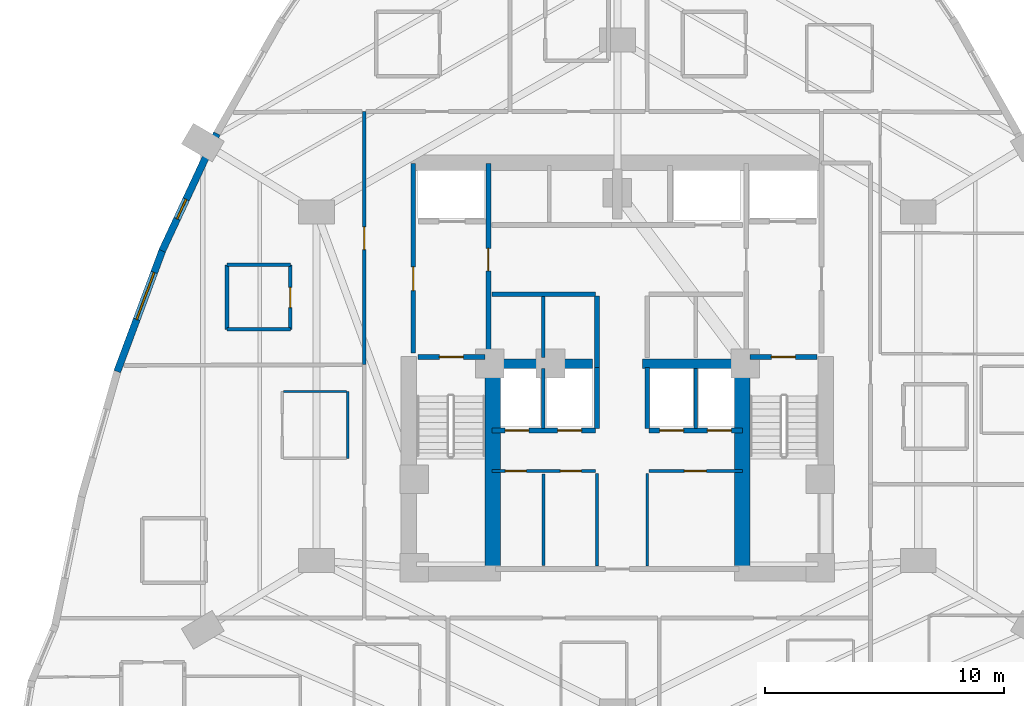
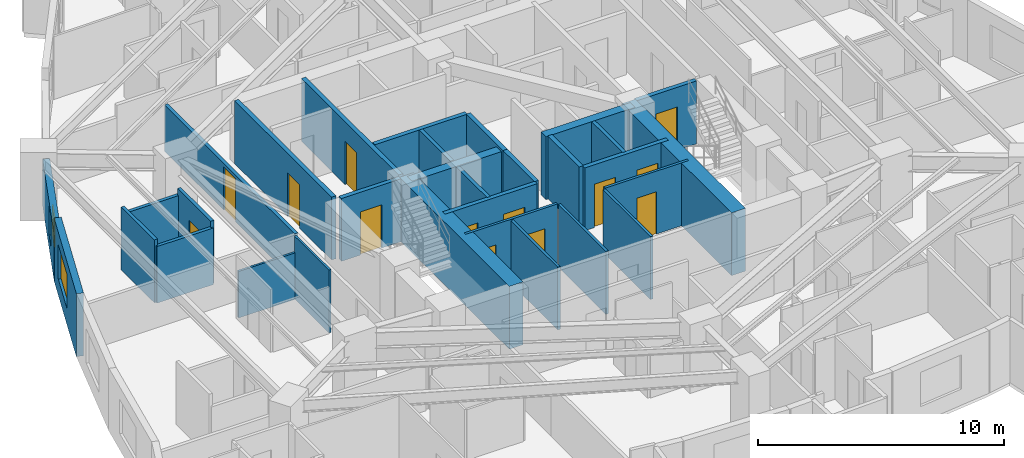
# One storey, part 9 of 15: 31 walls, 13 doors, 2 windows, 15 openings.
"""IFC4 building model written with IfcOpenShell, lengths in metres."""

from ifc_helpers import new_model, si_unit, direction, frame, frame_2d, origin, place, context, subcontext, project, spatial, rectangle, extrude, material, layer, layer_set, type_object, element, fill, save


model = new_model("IFC4")

# Units and contexts
model_context = context("Model", 3, precision=1e-05, world=origin(), true_north=direction((0.0, 1.0)))
body_context = subcontext(model_context, "Body", "Model", "MODEL_VIEW")
ifc_project = project(units=[si_unit("LENGTHUNIT", "METRE"), si_unit("AREAUNIT", "SQUARE_METRE"), si_unit("VOLUMEUNIT", "CUBIC_METRE"), si_unit("PLANEANGLEUNIT", "RADIAN"), si_unit("MASSUNIT", "GRAM", prefix="KILO")], contexts=[model_context])

# Site, building, storey
site_placement = place(None, origin())
site = spatial("IfcSite", under=ifc_project, at=site_placement, CompositionType="ELEMENT")
building_placement = place(site_placement, origin())
building = spatial("IfcBuilding", under=site, at=building_placement, Name="Miruveldt Soraemaru", CompositionType="ELEMENT")
storey_placement = place(building_placement, frame((0.0, 0.0, 39.39990234375)))
storey = spatial("IfcBuildingStorey", under=building, at=storey_placement, Name="L10", CompositionType="ELEMENT", Elevation=39.39990234375)

# Walls
ifc_material_1 = material(Name="Concrete C70/85 (70 MPa)", Category="concrete")
ifc_layer_1 = layer(ifc_material_1, 0.5, Name="Concrete C70/85 (70 MPa)", Category="concrete")
ifc_layer_set_1 = layer_set([ifc_layer_1], Name="Concrete C70/85 (70 MPa)")
wall_type_1 = type_object("IfcWallType", Name="WALL-BW-500", PredefinedType="SHEAR", material=ifc_layer_set_1)
for number, where, z_axis, x_axis, name in (
    (1, (38.75, 44.050048828125, 0.0), (0.0, 0.0, 1.0), (1.0, 0.0, 0.0), "L10 Core Buttress Shear Wall BW"),
    (2, (45.050048828125, 44.050048828125, 0.0), (0.0, 0.0, 1.0), (1.0, 0.0, 0.0), "L10 Core Buttress Shear Wall BE"),
):
    element("IfcWall", number, at=place(storey_placement, frame(where, z_axis=z_axis, x_axis=x_axis)), inside=storey, type_object=wall_type_1, Name=name, PredefinedType="SHEAR", context=body_context, shape_type="SweptSolid", body=[
        extrude(rectangle(XDim=4.199951171875, YDim=0.39990234375, at=frame_2d((2.10009765625, 0.0))), origin(), (0.0, 0.0, 1.0), 3.125),
    ])
ifc_material_2 = material(Name="Concrete C80/95 (80 MPa)", Category="concrete")
ifc_layer_2 = layer(ifc_material_2, 0.64990234375, Name="Concrete C80/95 (80 MPa)", Category="concrete")
ifc_layer_set_2 = layer_set([ifc_layer_2], Name="Concrete C80/95 (80 MPa)")
wall_type_2 = type_object("IfcWallType", Name="WALL-CW-650", PredefinedType="SHEAR", material=ifc_layer_set_2)
for number, where, z_axis, x_axis, name in (
    (3, (38.77490234375, 35.39990234375, 0.0), (0.0, 0.0, 1.0), (0.0, 1.0, 0.0), "L10 Central Core Shear Wall SW-INT"),
    (4, (49.22509765625, 35.39990234375, 0.0), (0.0, 0.0, 1.0), (0.0, 1.0, 0.0), "L10 Central Core Shear Wall SE-INT"),
):
    element("IfcWall", number, at=place(storey_placement, frame(where, z_axis=z_axis, x_axis=x_axis)), inside=storey, type_object=wall_type_2, Name=name, PredefinedType="SHEAR", context=body_context, shape_type="SweptSolid", body=[
        extrude(rectangle(XDim=8.9501953125, YDim=0.64990234375, at=frame_2d((4.47509765625, 0.0))), origin(), (0.0, 0.0, 1.0), 3.125),
    ])

# Wall, opening, window
ifc_material_3 = material(Name="Precast concrete C45/55 (45 MPa)", Category="concrete")
ifc_layer_3 = layer(ifc_material_3, 0.300048828125, Name="Precast concrete C45/55 (45 MPa)", Category="concrete")
ifc_layer_set_3 = layer_set([ifc_layer_3], Name="Precast concrete C45/55 (45 MPa)")
wall_type_3 = type_object("IfcWallType", Name="WALL-EXT-PC300", PredefinedType="SOLIDWALL", material=ifc_layer_set_3)
wall_1_placement = place(storey_placement, frame((27.231201171875, 53.685302734375, 0.0), z_axis=(0.0, 0.0, 1.0), x_axis=(-0.4222916538, -0.906460015186, 0.0)))
wall_1 = element("IfcWall", 5, at=wall_1_placement, inside=storey, type_object=wall_type_3, Name="L10 Precast Concrete Facade Wall 11", PredefinedType="SOLIDWALL", context=body_context, shape_type="SweptSolid", body=[
    extrude(rectangle(XDim=5.42529296875, YDim=0.300048828125, at=frame_2d((2.712646484375, 0.0))), origin(), (0.0, 0.0, 1.0), 2.31298828125),
])
opening_1_placement = place(wall_1_placement, frame((3.0458984375, 0.0, 0.653076171875)))
opening_1 = element("IfcOpeningElement", 6, at=opening_1_placement, cuts=wall_1, Name="Opening WN-7", PredefinedType="OPENING", context=body_context, shape_type="SweptSolid", body=[
    extrude(rectangle(XDim=0.89990234375, YDim=1.5, at=frame_2d((0.449951171875, 0.75))), frame((0.0, 0.16015625, 0.0), z_axis=(0.0, -1.0, 0.0), x_axis=(1.0, 0.0, 0.0)), (0.0, 0.0, 1.0), 0.320068359375),
])
ifc_material_4 = material(Name="Triple low-e insulated glazing", Category="glass")
window_type_1 = type_object("IfcWindowType", Name="WIN-PUNCH-900x1500", PartitioningType="SINGLE_PANEL", PredefinedType="WINDOW", material=ifc_material_4)
window_1_placement = place(opening_1_placement, origin())
window_1 = element("IfcWindow", 7, at=window_1_placement, inside=storey, type_object=window_type_1, Name="L10 Punched Triple-Glazed Window 11.1", OverallHeight=1.5, OverallWidth=0.89990234375, PartitioningType="SINGLE_PANEL", PredefinedType="WINDOW", context=body_context, shape_type="SweptSolid", body=[
    extrude(rectangle(XDim=0.89990234375, YDim=1.5, at=frame_2d((0.449951171875, 0.75))), frame((0.0, 0.030029296875, 0.0), z_axis=(0.0, -1.0, 0.0), x_axis=(1.0, 0.0, 0.0)), (0.0, 0.0, 1.0), 0.06005859375),
])
fill(opening_1, window_1)

wall_2_placement = place(storey_placement, frame((24.967041015625, 48.83203125, 0.0), z_axis=(0.0, 0.0, 1.0), x_axis=(-0.348985824433, -0.93712800318, 0.0)))
wall_2 = element("IfcWall", 8, at=wall_2_placement, inside=storey, type_object=wall_type_3, Name="L10 Precast Concrete Facade Wall 12", PredefinedType="SOLIDWALL", context=body_context, shape_type="SweptSolid", body=[
    extrude(rectangle(XDim=5.45947265625, YDim=0.300048828125, at=frame_2d((2.729736328125, 0.0))), origin(), (0.0, 0.0, 1.0), 3.125),
])
opening_2_placement = place(wall_2_placement, frame((1.032958984375, 0.0, 0.800048828125)))
opening_2 = element("IfcOpeningElement", 9, at=opening_2_placement, cuts=wall_2, Name="Opening WN-1", PredefinedType="OPENING", context=body_context, shape_type="SweptSolid", body=[
    extrude(rectangle(XDim=2.10009765625, YDim=1.699951171875, at=frame_2d((1.050048828125, 0.85009765625))), frame((0.0, 0.16015625, 0.0), z_axis=(0.0, -1.0, 0.0), x_axis=(1.0, 0.0, 0.0)), (0.0, 0.0, 1.0), 0.320068359375),
])
window_type_2 = type_object("IfcWindowType", Name="WIN-PUNCH-2100x1700", PartitioningType="SINGLE_PANEL", PredefinedType="WINDOW", material=ifc_material_4)
window_2_placement = place(opening_2_placement, origin())
window_2 = element("IfcWindow", 10, at=window_2_placement, inside=storey, type_object=window_type_2, Name="L10 Punched Triple-Glazed Window 12.1", OverallHeight=1.699951171875, OverallWidth=2.10009765625, PartitioningType="SINGLE_PANEL", PredefinedType="WINDOW", context=body_context, shape_type="SweptSolid", body=[
    extrude(rectangle(XDim=2.10009765625, YDim=1.699951171875, at=frame_2d((1.050048828125, 0.85009765625))), frame((0.0, 0.030029296875, 0.0), z_axis=(0.0, -1.0, 0.0), x_axis=(1.0, 0.0, 0.0)), (0.0, 0.0, 1.0), 0.06005859375),
])
fill(opening_2, window_2)

# Walls
ifc_material_5 = material(Name="Gypsum plasterboard lining", Category="gypsum")
ifc_layer_4 = layer(ifc_material_5, 0.10009765625, Name="Gypsum plasterboard lining", Category="gypsum")
ifc_layer_set_4 = layer_set([ifc_layer_4], Name="Gypsum plasterboard lining")
wall_type_4 = type_object("IfcWallType", Name="WALL-INT-P100", PredefinedType="PARTITIONING", material=ifc_layer_set_4)
wall_3_placement = place(storey_placement, frame((32.712890625, 40.080078125, 0.0), z_axis=(0.0, 0.0, 1.0), x_axis=(0.0, 1.0, 0.0)))
element("IfcWall", 11, at=wall_3_placement, inside=storey, type_object=wall_type_4, Name="L10 Partition Wall 56", PredefinedType="PARTITIONING", context=body_context, shape_type="SweptSolid", body=[
    extrude(rectangle(XDim=2.7998046875, YDim=0.10009765625, at=frame_2d((1.39990234375, 0.0))), origin(), (0.0, 0.0, 1.0), 3.125),
])
wall_4_placement = place(storey_placement, frame((32.6630859375, 42.8798828125, 0.0), z_axis=(0.0, 0.0, 1.0), x_axis=(-1.0, 0.0, 0.0)))
element("IfcWall", 12, at=wall_4_placement, inside=storey, type_object=wall_type_4, Name="L10 Partition Wall 57", PredefinedType="PARTITIONING", context=body_context, shape_type="SweptSolid", body=[
    extrude(rectangle(XDim=2.650146484375, YDim=0.10009765625, at=frame_2d((1.3251953125, 0.0))), origin(), (0.0, 0.0, 1.0), 2.31298828125),
])

# Wall, openings, doors
ifc_layer_5 = layer(ifc_material_5, 0.1201171875, Name="Gypsum plasterboard lining", Category="gypsum")
ifc_layer_set_5 = layer_set([ifc_layer_5], Name="Gypsum plasterboard lining")
wall_type_5 = type_object("IfcWallType", Name="WALL-INT-P120", PredefinedType="PARTITIONING", material=ifc_layer_set_5)
wall_5_placement = place(storey_placement, frame((38.75, 39.550048828125, 0.0), z_axis=(0.0, 0.0, 1.0), x_axis=(1.0, 0.0, 0.0)))
wall_5 = element("IfcWall", 13, at=wall_5_placement, inside=storey, type_object=wall_type_5, Name="L10 Core Compartment Wall CSW-N", PredefinedType="PARTITIONING", context=body_context, shape_type="SweptSolid", body=[
    extrude(rectangle(XDim=4.330078125, YDim=0.1201171875, at=frame_2d((2.1650390625, 0.0))), origin(), (0.0, 0.0, 1.0), 3.125),
])
opening_3_placement = place(wall_5_placement, frame((0.56005859375, 0.0, 0.0)))
opening_3 = element("IfcOpeningElement", 14, at=opening_3_placement, cuts=wall_5, Name="Opening D4", PredefinedType="OPENING", context=body_context, shape_type="SweptSolid", body=[
    extrude(rectangle(XDim=0.8798828125, YDim=2.10009765625, at=frame_2d((0.43994140625, 1.050048828125))), frame((0.0, 0.070068359375, 0.0), z_axis=(0.0, -1.0, 0.0), x_axis=(1.0, 0.0, 0.0)), (0.0, 0.0, 1.0), 0.14013671875),
])
opening_4_placement = place(wall_5_placement, frame((2.860107421875, 0.0, 0.0)))
opening_4 = element("IfcOpeningElement", 15, at=opening_4_placement, cuts=wall_5, Name="Opening D4", PredefinedType="OPENING", context=body_context, shape_type="SweptSolid", body=[
    extrude(rectangle(XDim=0.8798828125, YDim=2.10009765625, at=frame_2d((0.43994140625, 1.050048828125))), frame((0.0, 0.070068359375, 0.0), z_axis=(0.0, -1.0, 0.0), x_axis=(1.0, 0.0, 0.0)), (0.0, 0.0, 1.0), 0.14013671875),
])
ifc_material_6 = material(Name="Anodised aluminium EN AW-6063 T6", Category="aluminium")
door_type_1 = type_object("IfcDoorType", Name="DOOR-INT-880", OperationType="NOTDEFINED", PredefinedType="DOOR", material=ifc_material_6)
door_1_placement = place(opening_3_placement, origin())
door_1 = element("IfcDoor", 16, at=door_1_placement, inside=storey, type_object=door_type_1, Name="L10 Fire Door", OperationType="SINGLE_SWING_LEFT", OverallHeight=2.10009765625, OverallWidth=0.8798828125, PredefinedType="DOOR", context=body_context, shape_type="SweptSolid", body=[
    extrude(rectangle(XDim=0.8798828125, YDim=2.10009765625, at=frame_2d((0.43994140625, 1.050048828125))), frame((0.0, 0.02490234375, 0.0), z_axis=(0.0, -1.0, 0.0), x_axis=(1.0, 0.0, 0.0)), (0.0, 0.0, 1.0), 0.050048828125),
])
fill(opening_3, door_1)
door_2_placement = place(opening_4_placement, origin())
door_2 = element("IfcDoor", 17, at=door_2_placement, inside=storey, type_object=door_type_1, Name="L10 Fire Door", OperationType="SINGLE_SWING_LEFT", OverallHeight=2.10009765625, OverallWidth=0.8798828125, PredefinedType="DOOR", context=body_context, shape_type="SweptSolid", body=[
    extrude(rectangle(XDim=0.8798828125, YDim=2.10009765625, at=frame_2d((0.43994140625, 1.050048828125))), frame((0.0, 0.02490234375, 0.0), z_axis=(0.0, -1.0, 0.0), x_axis=(1.0, 0.0, 0.0)), (0.0, 0.0, 1.0), 0.050048828125),
])
fill(opening_4, door_2)

# Wall, opening, door
wall_6_placement = place(storey_placement, frame((45.320068359375, 39.550048828125, 0.0), z_axis=(0.0, 0.0, 1.0), x_axis=(1.0, 0.0, 0.0)))
wall_6 = element("IfcWall", 18, at=wall_6_placement, inside=storey, type_object=wall_type_5, Name="L10 Core Compartment Wall CSE-N", PredefinedType="PARTITIONING", context=body_context, shape_type="SweptSolid", body=[
    extrude(rectangle(XDim=3.929931640625, YDim=0.1201171875, at=frame_2d((1.96484375, 0.0))), origin(), (0.0, 0.0, 1.0), 3.125),
])
opening_5_placement = place(wall_6_placement, frame((1.489990234375, 0.0, 0.0)))
opening_5 = element("IfcOpeningElement", 19, at=opening_5_placement, cuts=wall_6, Name="Opening D3A", PredefinedType="OPENING", context=body_context, shape_type="SweptSolid", body=[
    extrude(rectangle(XDim=0.919921875, YDim=2.10009765625, at=frame_2d((0.4599609375, 1.050048828125))), frame((0.0, 0.070068359375, 0.0), z_axis=(0.0, -1.0, 0.0), x_axis=(1.0, 0.0, 0.0)), (0.0, 0.0, 1.0), 0.14013671875),
])
door_type_2 = type_object("IfcDoorType", Name="DOOR-INT-920", OperationType="NOTDEFINED", PredefinedType="DOOR", material=ifc_material_6)
door_3_placement = place(opening_5_placement, origin())
door_3 = element("IfcDoor", 20, at=door_3_placement, inside=storey, type_object=door_type_2, Name="L10 Fire Door", OperationType="SINGLE_SWING_LEFT", OverallHeight=2.10009765625, OverallWidth=0.919921875, PredefinedType="DOOR", context=body_context, shape_type="SweptSolid", body=[
    extrude(rectangle(XDim=0.919921875, YDim=2.10009765625, at=frame_2d((0.4599609375, 1.050048828125))), frame((0.0, 0.02490234375, 0.0), z_axis=(0.0, -1.0, 0.0), x_axis=(1.0, 0.0, 0.0)), (0.0, 0.0, 1.0), 0.050048828125),
])
fill(opening_5, door_3)

# Walls
for number, where, z_axis, x_axis, name in (
    (21, (43.14990234375, 35.580078125, 0.0), (0.0, 0.0, 1.0), (0.0, 1.0, 0.0), "L10 Core Compartment Wall SP-WS"),
    (22, (45.25, 35.580078125, 0.0), (0.0, 0.0, 1.0), (0.0, 1.0, 0.0), "L10 Core Compartment Wall SP-ES"),
):
    element("IfcWall", number, at=place(storey_placement, frame(where, z_axis=z_axis, x_axis=x_axis)), inside=storey, type_object=wall_type_5, Name=name, PredefinedType="PARTITIONING", context=body_context, shape_type="SweptSolid", body=[
        extrude(rectangle(XDim=3.869873046875, YDim=0.1201171875, at=frame_2d((1.93505859375, 0.0))), origin(), (0.0, 0.0, 1.0), 3.125),
    ])
wall_7_placement = place(storey_placement, frame((40.89990234375, 35.60009765625, 0.0), z_axis=(0.0, 0.0, 1.0), x_axis=(0.0, 1.0, 0.0)))
element("IfcWall", 23, at=wall_7_placement, inside=storey, type_object=wall_type_5, Name="L10 Core Compartment Wall CW1-V", PredefinedType="PARTITIONING", context=body_context, shape_type="SweptSolid", body=[
    extrude(rectangle(XDim=3.81982421875, YDim=0.1201171875, at=frame_2d((1.909912109375, 0.0))), origin(), (0.0, 0.0, 1.0), 3.125),
])

# Wall, opening, door
ifc_layer_6 = layer(ifc_material_5, 0.14990234375, Name="Gypsum plasterboard lining", Category="gypsum")
ifc_layer_set_6 = layer_set([ifc_layer_6], Name="Gypsum plasterboard lining")
wall_type_6 = type_object("IfcWallType", Name="WALL-INT-PLUMB", PredefinedType="PLUMBINGWALL", material=ifc_layer_set_6)
wall_8_placement = place(storey_placement, frame((30.304931640625, 45.47998046875, 0.0), z_axis=(0.0, 0.0, 1.0), x_axis=(0.0, 1.0, 0.0)))
wall_8 = element("IfcWall", 24, at=wall_8_placement, inside=storey, type_object=wall_type_6, Name="L10 Partition Wall 62", PredefinedType="PLUMBINGWALL", context=body_context, shape_type="SweptSolid", body=[
    extrude(rectangle(XDim=2.699951171875, YDim=0.14990234375, at=frame_2d((1.35009765625, 0.0))), origin(), (0.0, 0.0, 1.0), 3.125),
])
opening_6_placement = place(wall_8_placement, frame((0.909912109375, 0.0, 0.0)))
opening_6 = element("IfcOpeningElement", 25, at=opening_6_placement, cuts=wall_8, Name="Opening FD3", PredefinedType="OPENING", context=body_context, shape_type="SweptSolid", body=[
    extrude(rectangle(XDim=0.85009765625, YDim=2.10009765625, at=frame_2d((0.425048828125, 1.050048828125))), frame((0.0, 0.0849609375, 0.0), z_axis=(0.0, -1.0, 0.0), x_axis=(1.0, 0.0, 0.0)), (0.0, 0.0, 1.0), 0.169921875),
])
door_type_3 = type_object("IfcDoorType", Name="DOOR-FD3-850", OperationType="NOTDEFINED", PredefinedType="DOOR", material=ifc_material_6)
door_4_placement = place(opening_6_placement, origin())
door_4 = element("IfcDoor", 26, at=door_4_placement, inside=storey, type_object=door_type_3, Name="L10 Unit 1005 BTH Door", OperationType="SINGLE_SWING_LEFT", OverallHeight=2.10009765625, OverallWidth=0.85009765625, PredefinedType="DOOR", context=body_context, shape_type="SweptSolid", body=[
    extrude(rectangle(XDim=0.85009765625, YDim=2.10009765625, at=frame_2d((0.425048828125, 1.050048828125))), frame((0.0, 0.02490234375, 0.0), z_axis=(0.0, -1.0, 0.0), x_axis=(1.0, 0.0, 0.0)), (0.0, 0.0, 1.0), 0.050048828125),
])
fill(opening_6, door_4)

# Walls
wall_9_placement = place(storey_placement, frame((27.655029296875, 48.179931640625, 0.0), z_axis=(0.0, 0.0, 1.0), x_axis=(0.0, -1.0, 0.0)))
element("IfcWall", 27, at=wall_9_placement, inside=storey, type_object=wall_type_6, Name="L10 Partition Wall 64", PredefinedType="PLUMBINGWALL", context=body_context, shape_type="SweptSolid", body=[
    extrude(rectangle(XDim=2.699951171875, YDim=0.14990234375, at=frame_2d((1.35009765625, 0.0))), origin(), (0.0, 0.0, 1.0), 3.125),
])
for number, where, z_axis, x_axis, name in (
    (28, (30.304931640625, 48.179931640625, 0.0), (0.0, 0.0, 1.0), (-1.0, 0.0, 0.0), "L10 Partition Wall 63"),
    (29, (27.655029296875, 45.47998046875, 0.0), (0.0, 0.0, 1.0), (1.0, 0.0, 0.0), "L10 Partition Wall 65"),
):
    element("IfcWall", number, at=place(storey_placement, frame(where, z_axis=z_axis, x_axis=x_axis)), inside=storey, type_object=wall_type_6, Name=name, PredefinedType="PLUMBINGWALL", context=body_context, shape_type="SweptSolid", body=[
        extrude(rectangle(XDim=2.64990234375, YDim=0.14990234375, at=frame_2d((1.324951171875, 0.0))), origin(), (0.0, 0.0, 1.0), 2.81298828125),
    ])

# Wall, opening, door
ifc_material_7 = material(Name="Concrete C40/50 (40 MPa)", Category="concrete")
ifc_layer_7 = layer(ifc_material_7, 0.159912109375, Name="Concrete C40/50 (40 MPa)", Category="concrete")
ifc_layer_set_7 = layer_set([ifc_layer_7], Name="Concrete C40/50 (40 MPa)")
wall_type_7 = type_object("IfcWallType", Name="WALL-INT-RC160", PredefinedType="SOLIDWALL", material=ifc_layer_set_7)
wall_10_placement = place(storey_placement, frame((33.39990234375, 54.594970703125, 0.0), z_axis=(0.0, 0.0, 1.0), x_axis=(0.0, -1.0, 0.0)))
wall_10 = element("IfcWall", 30, at=wall_10_placement, inside=storey, type_object=wall_type_7, Name="L10 Partition Wall 5", PredefinedType="SOLIDWALL", context=body_context, shape_type="SweptSolid", body=[
    extrude(rectangle(XDim=10.590087890625, YDim=0.159912109375, at=frame_2d((5.294921875, 0.0))), origin(), (0.0, 0.0, 1.0), 2.31298828125),
])
opening_7_placement = place(wall_10_placement, frame((4.820068359375, 0.0, 0.0)))
opening_7 = element("IfcOpeningElement", 31, at=opening_7_placement, cuts=wall_10, Name="Opening FD2", PredefinedType="OPENING", context=body_context, shape_type="SweptSolid", body=[
    extrude(rectangle(XDim=0.949951171875, YDim=2.14990234375, at=frame_2d((0.47509765625, 1.074951171875))), frame((0.0, 0.08984375, 0.0), z_axis=(0.0, -1.0, 0.0), x_axis=(1.0, 0.0, 0.0)), (0.0, 0.0, 1.0), 0.179931640625),
])
door_type_4 = type_object("IfcDoorType", Name="DOOR-FD2-950", OperationType="NOTDEFINED", PredefinedType="DOOR", material=ifc_material_6)
door_5_placement = place(opening_7_placement, origin())
door_5 = element("IfcDoor", 32, at=door_5_placement, inside=storey, type_object=door_type_4, Name="L10 Unit 1005 Entrance Fire Door", OperationType="SINGLE_SWING_RIGHT", OverallHeight=2.14990234375, OverallWidth=0.949951171875, PredefinedType="DOOR", context=body_context, shape_type="SweptSolid", body=[
    extrude(rectangle(XDim=0.949951171875, YDim=2.14990234375, at=frame_2d((0.47509765625, 1.074951171875))), frame((0.0, 0.02490234375, 0.0), z_axis=(0.0, -1.0, 0.0), x_axis=(1.0, 0.0, 0.0)), (0.0, 0.0, 1.0), 0.050048828125),
])
fill(opening_7, door_5)

# Walls
wall_11_placement = place(storey_placement, frame((40.89990234375, 44.300048828125, 0.0), z_axis=(0.0, 0.0, 1.0), x_axis=(0.0, 1.0, 0.0)))
element("IfcWall", 33, at=wall_11_placement, inside=storey, type_object=wall_type_7, Name="L10 Core Compartment Wall PLM-DW", PredefinedType="SOLIDWALL", context=body_context, shape_type="SweptSolid", body=[
    extrude(rectangle(XDim=2.550048828125, YDim=0.159912109375, at=frame_2d((1.27490234375, 0.0))), origin(), (0.0, 0.0, 1.0), 3.125),
])
for number, where, z_axis, x_axis, name in (
    (34, (40.89990234375, 41.320068359375, 0.0), (0.0, 0.0, 1.0), (0.0, 1.0, 0.0), "L10 Core Compartment Wall PLL-DW"),
    (35, (47.280029296875, 41.320068359375, 0.0), (0.0, 0.0, 1.0), (0.0, 1.0, 0.0), "L10 Core Compartment Wall PLL-DE"),
):
    element("IfcWall", number, at=place(storey_placement, frame(where, z_axis=z_axis, x_axis=x_axis)), inside=storey, type_object=wall_type_7, Name=name, PredefinedType="SOLIDWALL", context=body_context, shape_type="SweptSolid", body=[
        extrude(rectangle(XDim=2.530029296875, YDim=0.159912109375, at=frame_2d((1.26513671875, 0.0))), origin(), (0.0, 0.0, 1.0), 3.125),
    ])

# Wall, opening, door
ifc_layer_8 = layer(ifc_material_7, 0.199951171875, Name="Concrete C40/50 (40 MPa)", Category="concrete")
ifc_layer_set_8 = layer_set([ifc_layer_8], Name="Concrete C40/50 (40 MPa)")
wall_type_8 = type_object("IfcWallType", Name="WALL-INT-RC200", PredefinedType="SOLIDWALL", material=ifc_layer_set_8)
wall_12_placement = place(storey_placement, frame((35.449951171875, 44.5, 0.0), z_axis=(0.0, 0.0, 1.0), x_axis=(0.0, 1.0, 0.0)))
wall_12 = element("IfcWall", 36, at=wall_12_placement, inside=storey, type_object=wall_type_8, Name="L10 Core Compartment Wall FFW-OUT", PredefinedType="SOLIDWALL", context=body_context, shape_type="SweptSolid", body=[
    extrude(rectangle(XDim=7.919921875, YDim=0.199951171875, at=frame_2d((3.9599609375, 0.0))), origin(), (0.0, 0.0, 1.0), 3.125),
])
opening_8_placement = place(wall_12_placement, frame((2.60009765625, 0.0, 0.0)))
opening_8 = element("IfcOpeningElement", 37, at=opening_8_placement, cuts=wall_12, Name="Opening FD1", PredefinedType="OPENING", context=body_context, shape_type="SweptSolid", body=[
    extrude(rectangle(XDim=1.0, YDim=2.14990234375, at=frame_2d((0.5, 1.074951171875))), frame((0.0, 0.10986328125, 0.0), z_axis=(0.0, -1.0, 0.0), x_axis=(1.0, 0.0, 0.0)), (0.0, 0.0, 1.0), 0.219970703125),
])
door_type_5 = type_object("IfcDoorType", Name="DOOR-FD1-1000", OperationType="NOTDEFINED", PredefinedType="DOOR", material=ifc_material_6)
door_6_placement = place(opening_8_placement, origin())
door_6 = element("IfcDoor", 38, at=door_6_placement, inside=storey, type_object=door_type_5, Name="L10 West Firefighting Lobby Exit Door", OperationType="SINGLE_SWING_LEFT", OverallHeight=2.14990234375, OverallWidth=1.0, PredefinedType="DOOR", context=body_context, shape_type="SweptSolid", body=[
    extrude(rectangle(XDim=1.0, YDim=2.14990234375, at=frame_2d((0.5, 1.074951171875))), frame((0.0, 0.02490234375, 0.0), z_axis=(0.0, -1.0, 0.0), x_axis=(1.0, 0.0, 0.0)), (0.0, 0.0, 1.0), 0.050048828125),
])
fill(opening_8, door_6)

wall_13_placement = place(storey_placement, frame((38.60009765625, 44.5, 0.0), z_axis=(0.0, 0.0, 1.0), x_axis=(0.0, 1.0, 0.0)))
wall_13 = element("IfcWall", 39, at=wall_13_placement, inside=storey, type_object=wall_type_8, Name="L10 Core Compartment Wall FFW-IN", PredefinedType="SOLIDWALL", context=body_context, shape_type="SweptSolid", body=[
    extrude(rectangle(XDim=7.919921875, YDim=0.199951171875, at=frame_2d((3.9599609375, 0.0))), origin(), (0.0, 0.0, 1.0), 3.125),
])
opening_9_placement = place(wall_13_placement, frame((3.425048828125, 0.0, 0.0)))
opening_9 = element("IfcOpeningElement", 40, at=opening_9_placement, cuts=wall_13, Name="Opening FD2", PredefinedType="OPENING", context=body_context, shape_type="SweptSolid", body=[
    extrude(rectangle(XDim=0.949951171875, YDim=2.14990234375, at=frame_2d((0.47509765625, 1.074951171875))), frame((0.0, 0.10986328125, 0.0), z_axis=(0.0, -1.0, 0.0), x_axis=(1.0, 0.0, 0.0)), (0.0, 0.0, 1.0), 0.219970703125),
])
door_7_placement = place(opening_9_placement, frame((0.949951171875, 0.0, 0.0), z_axis=(0.0, 0.0, 1.0), x_axis=(-1.0, 0.0, 0.0)))
door_7 = element("IfcDoor", 41, at=door_7_placement, inside=storey, type_object=door_type_4, Name="L10 Lift Lobby to West Fire Lobby Door", OperationType="SINGLE_SWING_RIGHT", OverallHeight=2.14990234375, OverallWidth=0.949951171875, PredefinedType="DOOR", context=body_context, shape_type="SweptSolid", body=[
    extrude(rectangle(XDim=0.949951171875, YDim=2.14990234375, at=frame_2d((0.47509765625, 1.074951171875))), frame((0.0, 0.02490234375, 0.0), z_axis=(0.0, -1.0, 0.0), x_axis=(1.0, 0.0, 0.0)), (0.0, 0.0, 1.0), 0.050048828125),
])
fill(opening_9, door_7)

# Wall, openings, doors
wall_14_placement = place(storey_placement, frame((38.75, 41.25, 0.0), z_axis=(0.0, 0.0, 1.0), x_axis=(1.0, 0.0, 0.0)))
wall_14 = element("IfcWall", 42, at=wall_14_placement, inside=storey, type_object=wall_type_8, Name="L10 Core Compartment Wall LBW-S", PredefinedType="SOLIDWALL", context=body_context, shape_type="SweptSolid", body=[
    extrude(rectangle(XDim=4.330078125, YDim=0.199951171875, at=frame_2d((2.1650390625, 0.0))), origin(), (0.0, 0.0, 1.0), 3.125),
])
opening_10_placement = place(wall_14_placement, frame((0.550048828125, 0.0, 0.0)))
opening_10 = element("IfcOpeningElement", 43, at=opening_10_placement, cuts=wall_14, Name="Opening LD1B", PredefinedType="OPENING", context=body_context, shape_type="SweptSolid", body=[
    extrude(rectangle(XDim=1.0, YDim=2.14990234375, at=frame_2d((0.5, 1.074951171875))), frame((0.0, 0.10986328125, 0.0), z_axis=(0.0, -1.0, 0.0), x_axis=(1.0, 0.0, 0.0)), (0.0, 0.0, 1.0), 0.219970703125),
])
opening_11_placement = place(wall_14_placement, frame((2.75, 0.0, 0.0)))
opening_11 = element("IfcOpeningElement", 44, at=opening_11_placement, cuts=wall_14, Name="Opening LD1B", PredefinedType="OPENING", context=body_context, shape_type="SweptSolid", body=[
    extrude(rectangle(XDim=1.0, YDim=2.14990234375, at=frame_2d((0.5, 1.074951171875))), frame((0.0, 0.10986328125, 0.0), z_axis=(0.0, -1.0, 0.0), x_axis=(1.0, 0.0, 0.0)), (0.0, 0.0, 1.0), 0.219970703125),
])
door_type_6 = type_object("IfcDoorType", Name="DOOR-LD1-1000", OperationType="SLIDING_TO_LEFT", PredefinedType="DOOR", material=ifc_material_6)
door_8_placement = place(opening_10_placement, frame((1.0, 0.0, 0.0), z_axis=(0.0, 0.0, 1.0), x_axis=(-1.0, 0.0, 0.0)))
door_8 = element("IfcDoor", 45, at=door_8_placement, inside=storey, type_object=door_type_6, Name="L10 PL-L1 Landing Door", OperationType="SLIDING_TO_LEFT", OverallHeight=2.14990234375, OverallWidth=1.0, PredefinedType="DOOR", context=body_context, shape_type="SweptSolid", body=[
    extrude(rectangle(XDim=1.0, YDim=2.14990234375, at=frame_2d((0.5, 1.074951171875))), frame((0.0, 0.02490234375, 0.0), z_axis=(0.0, -1.0, 0.0), x_axis=(1.0, 0.0, 0.0)), (0.0, 0.0, 1.0), 0.050048828125),
])
fill(opening_10, door_8)
door_9_placement = place(opening_11_placement, frame((1.0, 0.0, 0.0), z_axis=(0.0, 0.0, 1.0), x_axis=(-1.0, 0.0, 0.0)))
door_9 = element("IfcDoor", 46, at=door_9_placement, inside=storey, type_object=door_type_6, Name="L10 PL-L2 Landing Door", OperationType="SLIDING_TO_LEFT", OverallHeight=2.14990234375, OverallWidth=1.0, PredefinedType="DOOR", context=body_context, shape_type="SweptSolid", body=[
    extrude(rectangle(XDim=1.0, YDim=2.14990234375, at=frame_2d((0.5, 1.074951171875))), frame((0.0, 0.02490234375, 0.0), z_axis=(0.0, -1.0, 0.0), x_axis=(1.0, 0.0, 0.0)), (0.0, 0.0, 1.0), 0.050048828125),
])
fill(opening_11, door_9)

wall_15_placement = place(storey_placement, frame((45.320068359375, 41.25, 0.0), z_axis=(0.0, 0.0, 1.0), x_axis=(1.0, 0.0, 0.0)))
wall_15 = element("IfcWall", 47, at=wall_15_placement, inside=storey, type_object=wall_type_8, Name="L10 Core Compartment Wall LBE-S", PredefinedType="SOLIDWALL", context=body_context, shape_type="SweptSolid", body=[
    extrude(rectangle(XDim=3.929931640625, YDim=0.199951171875, at=frame_2d((1.96484375, 0.0))), origin(), (0.0, 0.0, 1.0), 3.125),
])
opening_12_placement = place(wall_15_placement, frame((0.449951171875, 0.0, 0.0)))
opening_12 = element("IfcOpeningElement", 48, at=opening_12_placement, cuts=wall_15, Name="Opening LD1B", PredefinedType="OPENING", context=body_context, shape_type="SweptSolid", body=[
    extrude(rectangle(XDim=1.0, YDim=2.14990234375, at=frame_2d((0.5, 1.074951171875))), frame((0.0, 0.10986328125, 0.0), z_axis=(0.0, -1.0, 0.0), x_axis=(1.0, 0.0, 0.0)), (0.0, 0.0, 1.0), 0.219970703125),
])
opening_13_placement = place(wall_15_placement, frame((2.449951171875, 0.0, 0.0)))
opening_13 = element("IfcOpeningElement", 49, at=opening_13_placement, cuts=wall_15, Name="Opening LD1B", PredefinedType="OPENING", context=body_context, shape_type="SweptSolid", body=[
    extrude(rectangle(XDim=1.0, YDim=2.14990234375, at=frame_2d((0.5, 1.074951171875))), frame((0.0, 0.10986328125, 0.0), z_axis=(0.0, -1.0, 0.0), x_axis=(1.0, 0.0, 0.0)), (0.0, 0.0, 1.0), 0.219970703125),
])
door_10_placement = place(opening_12_placement, frame((1.0, 0.0, 0.0), z_axis=(0.0, 0.0, 1.0), x_axis=(-1.0, 0.0, 0.0)))
door_10 = element("IfcDoor", 50, at=door_10_placement, inside=storey, type_object=door_type_6, Name="L10 PL-L3 Landing Door", OperationType="SLIDING_TO_LEFT", OverallHeight=2.14990234375, OverallWidth=1.0, PredefinedType="DOOR", context=body_context, shape_type="SweptSolid", body=[
    extrude(rectangle(XDim=1.0, YDim=2.14990234375, at=frame_2d((0.5, 1.074951171875))), frame((0.0, 0.02490234375, 0.0), z_axis=(0.0, -1.0, 0.0), x_axis=(1.0, 0.0, 0.0)), (0.0, 0.0, 1.0), 0.050048828125),
])
fill(opening_12, door_10)
door_11_placement = place(opening_13_placement, frame((1.0, 0.0, 0.0), z_axis=(0.0, 0.0, 1.0), x_axis=(-1.0, 0.0, 0.0)))
door_11 = element("IfcDoor", 51, at=door_11_placement, inside=storey, type_object=door_type_6, Name="L10 PL-L4 Landing Door", OperationType="SLIDING_TO_LEFT", OverallHeight=2.14990234375, OverallWidth=1.0, PredefinedType="DOOR", context=body_context, shape_type="SweptSolid", body=[
    extrude(rectangle(XDim=1.0, YDim=2.14990234375, at=frame_2d((0.5, 1.074951171875))), frame((0.0, 0.02490234375, 0.0), z_axis=(0.0, -1.0, 0.0), x_axis=(1.0, 0.0, 0.0)), (0.0, 0.0, 1.0), 0.050048828125),
])
fill(opening_13, door_11)

# Wall, opening, door
wall_16_placement = place(storey_placement, frame((35.64990234375, 44.320068359375, 0.0), z_axis=(0.0, 0.0, 1.0), x_axis=(1.0, 0.0, 0.0)))
wall_16 = element("IfcWall", 52, at=wall_16_placement, inside=storey, type_object=wall_type_8, Name="L10 Core Compartment Wall ST1-N", PredefinedType="SOLIDWALL", context=body_context, shape_type="SweptSolid", body=[
    extrude(rectangle(XDim=2.800048828125, YDim=0.199951171875, at=frame_2d((1.39990234375, 0.0))), origin(), (0.0, 0.0, 1.0), 3.125),
])
opening_14_placement = place(wall_16_placement, frame((0.89990234375, 0.0, 0.0)))
opening_14 = element("IfcOpeningElement", 53, at=opening_14_placement, cuts=wall_16, Name="Opening FD1", PredefinedType="OPENING", context=body_context, shape_type="SweptSolid", body=[
    extrude(rectangle(XDim=1.0, YDim=2.14990234375, at=frame_2d((0.5, 1.074951171875))), frame((0.0, 0.10986328125, 0.0), z_axis=(0.0, -1.0, 0.0), x_axis=(1.0, 0.0, 0.0)), (0.0, 0.0, 1.0), 0.219970703125),
])
door_12_placement = place(opening_14_placement, frame((1.0, 0.0, 0.0), z_axis=(0.0, 0.0, 1.0), x_axis=(-1.0, 0.0, 0.0)))
door_12 = element("IfcDoor", 54, at=door_12_placement, inside=storey, type_object=door_type_5, Name="L10 Stair ST-1 Fire Door", OperationType="SINGLE_SWING_LEFT", OverallHeight=2.14990234375, OverallWidth=1.0, PredefinedType="DOOR", context=body_context, shape_type="SweptSolid", body=[
    extrude(rectangle(XDim=1.0, YDim=2.14990234375, at=frame_2d((0.5, 1.074951171875))), frame((0.0, 0.02490234375, 0.0), z_axis=(0.0, -1.0, 0.0), x_axis=(1.0, 0.0, 0.0)), (0.0, 0.0, 1.0), 0.050048828125),
])
fill(opening_14, door_12)

wall_17_placement = place(storey_placement, frame((49.550048828125, 44.320068359375, 0.0), z_axis=(0.0, 0.0, 1.0), x_axis=(1.0, 0.0, 0.0)))
wall_17 = element("IfcWall", 55, at=wall_17_placement, inside=storey, type_object=wall_type_8, Name="L10 Core Compartment Wall ST2-N", PredefinedType="SOLIDWALL", context=body_context, shape_type="SweptSolid", body=[
    extrude(rectangle(XDim=2.800048828125, YDim=0.199951171875, at=frame_2d((1.39990234375, 0.0))), origin(), (0.0, 0.0, 1.0), 3.125),
])
opening_15_placement = place(wall_17_placement, frame((0.89990234375, 0.0, 0.0)))
opening_15 = element("IfcOpeningElement", 56, at=opening_15_placement, cuts=wall_17, Name="Opening FD1", PredefinedType="OPENING", context=body_context, shape_type="SweptSolid", body=[
    extrude(rectangle(XDim=1.0, YDim=2.14990234375, at=frame_2d((0.5, 1.074951171875))), frame((0.0, 0.10986328125, 0.0), z_axis=(0.0, -1.0, 0.0), x_axis=(1.0, 0.0, 0.0)), (0.0, 0.0, 1.0), 0.219970703125),
])
door_13_placement = place(opening_15_placement, frame((1.0, 0.0, 0.0), z_axis=(0.0, 0.0, 1.0), x_axis=(-1.0, 0.0, 0.0)))
door_13 = element("IfcDoor", 57, at=door_13_placement, inside=storey, type_object=door_type_5, Name="L10 Stair ST-2 Fire Door", OperationType="SINGLE_SWING_RIGHT", OverallHeight=2.14990234375, OverallWidth=1.0, PredefinedType="DOOR", context=body_context, shape_type="SweptSolid", body=[
    extrude(rectangle(XDim=1.0, YDim=2.14990234375, at=frame_2d((0.5, 1.074951171875))), frame((0.0, 0.02490234375, 0.0), z_axis=(0.0, -1.0, 0.0), x_axis=(1.0, 0.0, 0.0)), (0.0, 0.0, 1.0), 0.050048828125),
])
fill(opening_15, door_13)

# Walls
wall_18_placement = place(storey_placement, frame((38.75, 46.949951171875, 0.0), z_axis=(0.0, 0.0, 1.0), x_axis=(1.0, 0.0, 0.0)))
element("IfcWall", 58, at=wall_18_placement, inside=storey, type_object=wall_type_8, Name="L10 Core Compartment Wall MBW-N", PredefinedType="SOLIDWALL", context=body_context, shape_type="SweptSolid", body=[
    extrude(rectangle(XDim=4.330078125, YDim=0.199951171875, at=frame_2d((2.1650390625, 0.0))), origin(), (0.0, 0.0, 1.0), 3.125),
])
wall_19_placement = place(storey_placement, frame((43.14990234375, 43.8798828125, 0.0), z_axis=(0.0, 0.0, 1.0), x_axis=(0.0, 1.0, 0.0)))
element("IfcWall", 59, at=wall_19_placement, inside=storey, type_object=wall_type_8, Name="L10 Core Compartment Wall SP-WB", PredefinedType="SOLIDWALL", context=body_context, shape_type="SweptSolid", body=[
    extrude(rectangle(XDim=3.0, YDim=0.199951171875, at=frame_2d((1.5, 0.0))), origin(), (0.0, 0.0, 1.0), 3.125),
])
for number, where, z_axis, x_axis, name in (
    (60, (43.14990234375, 41.320068359375, 0.0), (0.0, 0.0, 1.0), (0.0, 1.0, 0.0), "L10 Core Compartment Wall SP-WC"),
    (61, (45.25, 41.320068359375, 0.0), (0.0, 0.0, 1.0), (0.0, 1.0, 0.0), "L10 Core Compartment Wall SP-EC"),
):
    element("IfcWall", number, at=place(storey_placement, frame(where, z_axis=z_axis, x_axis=x_axis)), inside=storey, type_object=wall_type_8, Name=name, PredefinedType="SOLIDWALL", context=body_context, shape_type="SweptSolid", body=[
        extrude(rectangle(XDim=2.559814453125, YDim=0.199951171875, at=frame_2d((1.27978515625, 0.0))), origin(), (0.0, 0.0, 1.0), 3.125),
    ])

save(model, "model.ifc")
